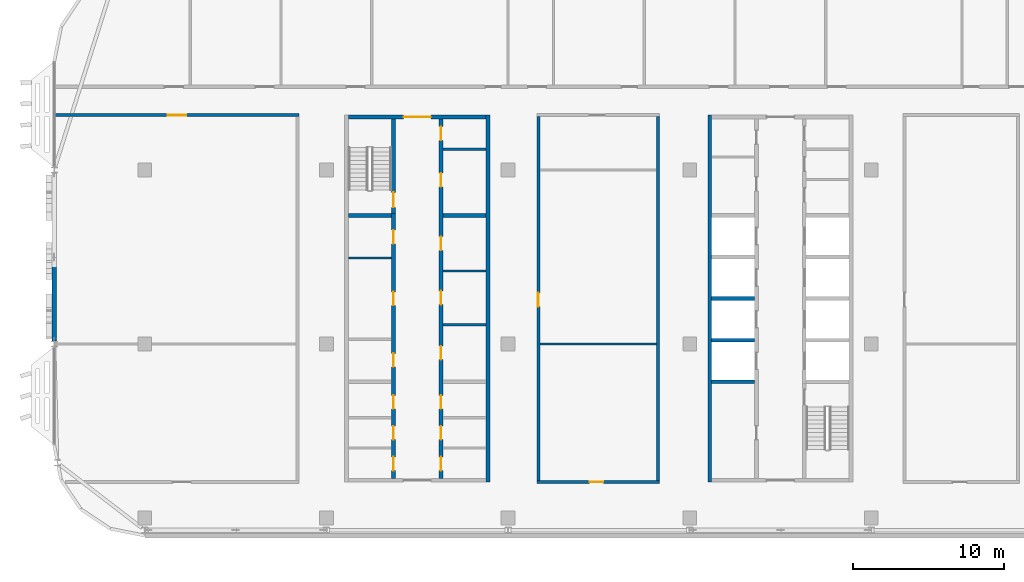
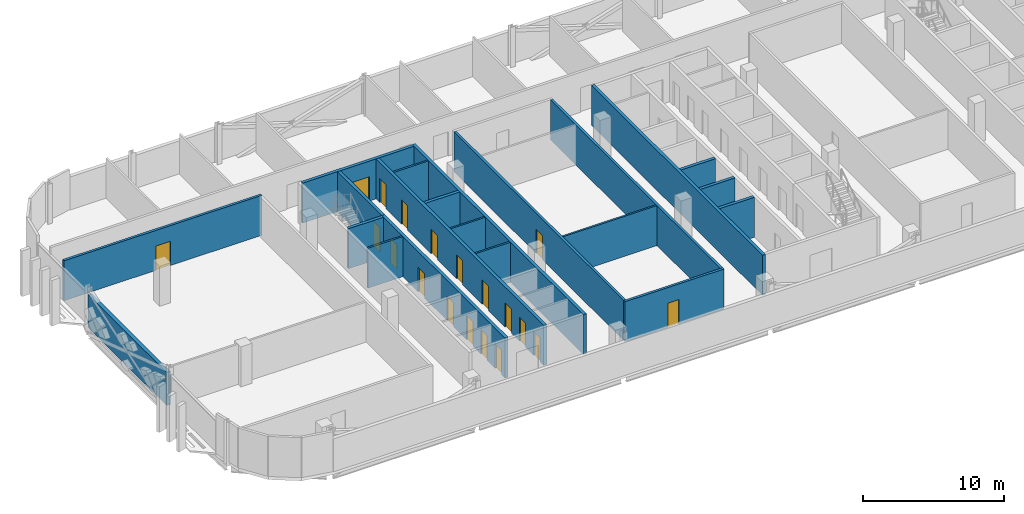
# One storey, part 10 of 25: 21 walls, 19 doors, 19 openings.
"""IFC4 building model written with IfcOpenShell, lengths in metres."""

import ifcopenshell
import ifcopenshell.guid

model = None  # the IFC model being written
_history = None  # IfcOwnerHistory: only IFC2X3 demands one
_inside = {}  # id of a spatial element -> (the spatial element, [elements in it])
_under = {}  # id of a project, library or spatial element -> (it, [spatial elements below it])
_declared = {}  # id of a project -> (the project, [libraries it declares])
_typed = {}  # id of a type object -> (the type object, [elements of that type])
_made_of = {}  # id of a material, layer set ... -> (it, [elements and type objects made of it])


def new_model(schema):
    """Start an empty IFC model of exactly this schema.

    Asked for "IFC4X3", IfcOpenShell would pick the latest addendum, in which some entities
    have other attributes; the version numbers below select the first issue.
    IFC2X3 requires an IfcOwnerHistory on every rooted entity: one is made here for all.
    """
    global model, _history
    if schema == "IFC4X3":
        model = ifcopenshell.file(schema_version=(4, 3, 0, 0))
    else:
        model = ifcopenshell.file(schema=schema)
    _inside.clear()
    _under.clear()
    _declared.clear()
    _typed.clear()
    _made_of.clear()
    _history = None
    if model.schema == "IFC2X3":
        org = make("IfcOrganization", Name="unknown")
        user = make(
            "IfcPersonAndOrganization",
            ThePerson=make("IfcPerson", FamilyName="unknown"),
            TheOrganization=org,
        )
        app = make(
            "IfcApplication",
            ApplicationDeveloper=org,
            Version="unknown",
            ApplicationFullName="unknown",
            ApplicationIdentifier="unknown",
        )
        _history = make(
            "IfcOwnerHistory",
            OwningUser=user,
            OwningApplication=app,
            ChangeAction="ADDED",
            CreationDate=0,
        )
    return model


def make(cls, **values):
    """One entity of the class cls with the attributes given. An attribute that is None is left unset."""
    return model.create_entity(
        cls, **{name: value for name, value in values.items() if value is not None}
    )


def rooted(cls, **values):
    """An entity with a GlobalId (a new one), such as an element, a storey or a relation."""
    return make(cls, GlobalId=ifcopenshell.guid.new(), OwnerHistory=_history, **values)


def si_unit(unit_type, name, prefix=None):
    """IfcSIUnit, for example si_unit("LENGTHUNIT", "METRE", prefix="MILLI")."""
    return make("IfcSIUnit", UnitType=unit_type, Prefix=prefix, Name=name)


def assignment(units):
    """IfcUnitAssignment: the units of a project."""
    return None if units is None else make("IfcUnitAssignment", Units=units)


def point(xyz):
    """IfcCartesianPoint."""
    return None if xyz is None else make("IfcCartesianPoint", Coordinates=xyz)


def direction(xyz):
    """IfcDirection."""
    return None if xyz is None else make("IfcDirection", DirectionRatios=xyz)


def frame(location, z_axis=None, x_axis=None):
    """IfcAxis2Placement3D, a coordinate frame: its origin and axes. An axis left out is left unset."""
    return make(
        "IfcAxis2Placement3D",
        Location=point(location),
        Axis=direction(z_axis),
        RefDirection=direction(x_axis),
    )


def frame_2d(location, x_axis=None):
    """IfcAxis2Placement2D, a coordinate frame in the plane: its origin and x axis."""
    return make(
        "IfcAxis2Placement2D", Location=point(location), RefDirection=direction(x_axis)
    )


def origin():
    """The frame at (0, 0, 0) with its axes left unset."""
    return frame((0.0, 0.0, 0.0))


def place(relative_to, where):
    """IfcLocalPlacement: puts the frame where relative to a parent placement (None: the world)."""
    return make(
        "IfcLocalPlacement", PlacementRelTo=relative_to, RelativePlacement=where
    )


def context(
    kind, dimensions, precision=None, world=None, true_north=None, identifier=None
):
    """IfcGeometricRepresentationContext, for example the 3D "Model" context."""
    return make(
        "IfcGeometricRepresentationContext",
        ContextIdentifier=identifier,
        ContextType=kind,
        CoordinateSpaceDimension=dimensions,
        Precision=precision,
        WorldCoordinateSystem=world,
        TrueNorth=true_north,
    )


def subcontext(parent, identifier, kind, view, scale=None):
    """IfcGeometricRepresentationSubContext, for example "Body" below "Model"."""
    return make(
        "IfcGeometricRepresentationSubContext",
        ContextIdentifier=identifier,
        ContextType=kind,
        ParentContext=parent,
        TargetScale=scale,
        TargetView=view,
    )


def project(units=None, contexts=None):
    """IfcProject with its units and contexts."""
    return rooted(
        "IfcProject",
        Name="project",
        RepresentationContexts=contexts,
        UnitsInContext=assignment(units),
    )


def spatial(cls, under=None, at=None, **own):
    """A site, building, storey or space (cls), placed at a placement, below another one or the project."""
    s = rooted(cls, ObjectPlacement=at, **own)
    if under is not None:
        _under.setdefault(under.id(), (under, []))[1].append(s)
    return s


def profile(cls, at=None, kind="AREA", **sizes):
    """A parametric profile (cls). Its sizes go by their IFC names, for example OverallWidth=200.0."""
    return make(cls, ProfileType=kind, Position=at, **sizes)


def rectangle(**sizes):
    """IfcRectangleProfileDef."""
    return profile("IfcRectangleProfileDef", **sizes)


def extrude(swept, where, along, depth):
    """IfcExtrudedAreaSolid: the profile swept, set in the frame where, extruded along a direction by depth."""
    return make(
        "IfcExtrudedAreaSolid",
        SweptArea=swept,
        Position=where,
        ExtrudedDirection=direction(along),
        Depth=depth,
    )


def shape(context_of_items, identifier, shape_type, items):
    """IfcShapeRepresentation: the items that make up one representation, for example the "Body"."""
    return make(
        "IfcShapeRepresentation",
        ContextOfItems=context_of_items,
        RepresentationIdentifier=identifier,
        RepresentationType=shape_type,
        Items=items,
    )


def material(Name=None, Category=None):
    """IfcMaterial."""
    return make("IfcMaterial", Name=Name, Category=Category)


def layer(
    of_material, thickness, ventilated=None, Name=None, Category=None, Priority=None
):
    """IfcMaterialLayer: one layer of a wall or slab, of a material (None: an air gap)."""
    return make(
        "IfcMaterialLayer",
        Material=of_material,
        LayerThickness=thickness,
        IsVentilated=ventilated,
        Name=Name,
        Category=Category,
        Priority=Priority,
    )


def layer_set(layers, Name=None):
    """IfcMaterialLayerSet."""
    return make("IfcMaterialLayerSet", MaterialLayers=layers, LayerSetName=Name)


def made_of(thing, what):
    """Note that an element or type object is made of a material, layer set ...; save() writes the relation."""
    if what is not None:
        _made_of.setdefault(what.id(), (what, []))[1].append(thing)
    return thing


def type_object(cls, material=None, **own):
    """A type object (cls), such as IfcWallType, which elements share."""
    return made_of(rooted(cls, **own), material)


def element(
    cls,
    number,
    at=None,
    inside=None,
    cuts=None,
    type_object=None,
    material=None,
    context=None,
    identifier="Body",
    shape_type=None,
    held_by="IfcProductDefinitionShape",
    body=None,
    shapes=None,
    **own,
):
    """One element of the class cls, such as IfcWall. Its Tag is "e" and its number.

    at: its placement. inside: the storey or other place that contains it. cuts: it is an
    opening in that element (IfcRelVoidsElement). A single representation is given by context,
    identifier, shape_type and body (its items); several are given by shapes. held_by: the class
    of the entity that holds the representations. save() writes the other relations.
    """
    e = rooted(cls, Tag="e%d" % number, ObjectPlacement=at, **own)
    if body is not None:
        shapes = [shape(context, identifier, shape_type, body)]
    if shapes is not None:
        e.Representation = make(held_by, Representations=shapes)
    if inside is not None:
        _inside.setdefault(inside.id(), (inside, []))[1].append(e)
    if cuts is not None:
        rooted(
            "IfcRelVoidsElement", RelatingBuildingElement=cuts, RelatedOpeningElement=e
        )
    if type_object is not None:
        _typed.setdefault(type_object.id(), (type_object, []))[1].append(e)
    return made_of(e, material)


def fill(opening, filler):
    """IfcRelFillsElement: the door or window that sits in an opening."""
    return rooted(
        "IfcRelFillsElement",
        RelatingOpeningElement=opening,
        RelatedBuildingElement=filler,
    )


def aggregate(whole, parts):
    """IfcRelAggregates: a whole, such as a stair, and the parts it consists of."""
    return rooted("IfcRelAggregates", RelatingObject=whole, RelatedObjects=parts)


def save(model, path):
    """Write the relations noted so far, then the file.

    IfcRelAggregates (storeys below a building ...), IfcRelContainedInSpatialStructure (elements
    in a storey), IfcRelDefinesByType, IfcRelAssociatesMaterial and IfcRelDeclares: one each for
    every whole, place, type object, material and project.
    """
    for whole, parts in _under.values():
        aggregate(whole, parts)
    for where, things in _inside.values():
        rooted(
            "IfcRelContainedInSpatialStructure",
            RelatedElements=things,
            RelatingStructure=where,
        )
    for kind, things in _typed.values():
        rooted("IfcRelDefinesByType", RelatedObjects=things, RelatingType=kind)
    for what, things in _made_of.values():
        rooted("IfcRelAssociatesMaterial", RelatedObjects=things, RelatingMaterial=what)
    for by, libraries in _declared.values():
        rooted("IfcRelDeclares", RelatingContext=by, RelatedDefinitions=libraries)
    model.write(path)


model = new_model("IFC4")

# Units and contexts
model_context = context("Model", 3, precision=1e-05, world=origin(), true_north=direction((0.0, 1.0)))
body_context = subcontext(model_context, "Body", "Model", "MODEL_VIEW")
ifc_project = project(units=[si_unit("LENGTHUNIT", "METRE"), si_unit("AREAUNIT", "SQUARE_METRE"), si_unit("VOLUMEUNIT", "CUBIC_METRE"), si_unit("PLANEANGLEUNIT", "RADIAN"), si_unit("MASSUNIT", "GRAM", prefix="KILO")], contexts=[model_context])

# Site, building, storey
site_placement = place(None, origin())
site = spatial("IfcSite", under=ifc_project, at=site_placement, CompositionType="ELEMENT")
building_placement = place(site_placement, origin())
building = spatial("IfcBuilding", under=site, at=building_placement, Name="Mahtab Terrace Research Tower", CompositionType="ELEMENT")
storey_placement = place(building_placement, frame((0.0, 0.0, 278.5)))
storey = spatial("IfcBuildingStorey", under=building, at=storey_placement, Name="L68", CompositionType="ELEMENT", Elevation=278.5)

# Walls
ifc_material_1 = material(Name="Gypsum board partition")
ifc_layer_1 = layer(ifc_material_1, 0.14990234375)
ifc_layer_set_1 = layer_set([ifc_layer_1], Name="Core partition 150")
wall_type_1 = type_object("IfcWallType", Name="Core partition 150", PredefinedType="PARTITIONING", material=ifc_layer_set_1)
for number, where, z_axis, x_axis, name in (
    (1, (-28.550048828125, 5.6875, 0.0), (0.0, 0.0, 1.0), (1.0, 0.0, 0.0), "Core wall A pWL269"),
    (2, (-22.300048828125, 1.280029296875, 0.0), (0.0, 0.0, 1.0), (1.0, 0.0, 0.0), "Core wall A pEL-172"),
    (3, (-22.300048828125, 4.827392578125, 0.0), (0.0, 0.0, 1.0), (1.0, 0.0, 0.0), "Core wall A pEL183"),
    (4, (-22.300048828125, 12.875, 0.0), (0.0, 0.0, 1.0), (1.0, 0.0, 0.0), "Core wall A pEN988"),
):
    element("IfcWall", number, at=place(storey_placement, frame(where, z_axis=z_axis, x_axis=x_axis)), inside=storey, type_object=wall_type_1, Name=name, PredefinedType="PARTITIONING", context=body_context, shape_type="SweptSolid", body=[
        extrude(rectangle(XDim=2.85009765625, YDim=0.14990234375, at=frame_2d((1.425048828125, 0.0))), origin(), (0.0, 0.0, 1.0), 3.4599609375),
    ])
ifc_material_2 = material(Name="Concrete C70/85", Category="concrete")
ifc_layer_2 = layer(ifc_material_2, 0.25)
ifc_layer_set_2 = layer_set([ifc_layer_2], Name="Core wall 250")
wall_type_2 = type_object("IfcWallType", Name="Core wall 250", PredefinedType="SOLIDWALL", material=ifc_layer_set_2)
wall_1_placement = place(storey_placement, frame((-19.324951171875, -9.125, 0.0), z_axis=(0.0, 0.0, 1.0), x_axis=(0.0, 1.0, 0.0)))
element("IfcWall", 5, at=wall_1_placement, inside=storey, type_object=wall_type_2, Name="Core wall A outerE", PredefinedType="SOLIDWALL", context=body_context, shape_type="SweptSolid", body=[
    extrude(rectangle(XDim=24.25, YDim=0.25, at=frame_2d((12.125, 0.0))), origin(), (0.0, 0.0, 1.0), 3.4599609375),
])

# Wall, opening, door
wall_2_placement = place(storey_placement, frame((-28.550048828125, 15.0, 0.0), z_axis=(0.0, 0.0, 1.0), x_axis=(1.0, 0.0, 0.0)))
wall_2 = element("IfcWall", 6, at=wall_2_placement, inside=storey, type_object=wall_type_2, Name="Core wall A endN", PredefinedType="SOLIDWALL", context=body_context, shape_type="SweptSolid", body=[
    extrude(rectangle(XDim=9.10009765625, YDim=0.25, at=frame_2d((4.550048828125, 0.0))), origin(), (0.0, 0.0, 1.0), 3.4599609375),
])
opening_1_placement = place(wall_2_placement, frame((3.64990234375, 0.0, 0.0)))
opening_1 = element("IfcOpeningElement", 7, at=opening_1_placement, cuts=wall_2, Name="Opening A-N1", PredefinedType="OPENING", context=body_context, shape_type="SweptSolid", body=[
    extrude(rectangle(XDim=1.800048828125, YDim=2.10009765625, at=frame_2d((0.89990234375, 1.050048828125))), frame((0.0, 0.135009765625, 0.0), z_axis=(0.0, -1.0, 0.0), x_axis=(1.0, 0.0, 0.0)), (0.0, 0.0, 1.0), 0.27001953125),
])
ifc_material_3 = material(Name="Steel fire door", Category="steel")
door_type_1 = type_object("IfcDoorType", Name="Lobby double door 1800x2100 1 HR", OperationType="DOUBLE_DOOR_SINGLE_SWING", PredefinedType="DOOR", material=ifc_material_3)
door_1_placement = place(opening_1_placement, origin())
door_1 = element("IfcDoor", 8, at=door_1_placement, inside=storey, type_object=door_type_1, Name="Core entrance door A N", OperationType="DOUBLE_DOOR_SINGLE_SWING", OverallHeight=2.10009765625, OverallWidth=1.800048828125, PredefinedType="DOOR", context=body_context, shape_type="SweptSolid", body=[
    extrude(rectangle(XDim=1.800048828125, YDim=2.10009765625, at=frame_2d((0.89990234375, 1.050048828125))), frame((0.0, 0.02490234375, 0.0), z_axis=(0.0, -1.0, 0.0), x_axis=(1.0, 0.0, 0.0)), (0.0, 0.0, 1.0), 0.050048828125),
])
fill(opening_1, door_1)

# Wall, openings, doors
wall_3_placement = place(storey_placement, frame((-25.574951171875, -8.875, 0.0), z_axis=(0.0, 0.0, 1.0), x_axis=(0.0, 1.0, 0.0)))
wall_3 = element("IfcWall", 9, at=wall_3_placement, inside=storey, type_object=wall_type_2, Name="Core wall A innerWSL", PredefinedType="SOLIDWALL", context=body_context, shape_type="SweptSolid", body=[
    extrude(rectangle(XDim=17.5, YDim=0.25, at=frame_2d((8.75, 0.0))), origin(), (0.0, 0.0, 1.0), 3.4599609375),
])
opening_2_placement = place(wall_3_placement, frame((7.356201171875, 0.0, 0.0)))
opening_2 = element("IfcOpeningElement", 10, at=opening_2_placement, cuts=wall_3, Name="Opening A-R1", PredefinedType="OPENING", context=body_context, shape_type="SweptSolid", body=[
    extrude(rectangle(XDim=0.89990234375, YDim=2.10009765625, at=frame_2d((0.449951171875, 1.050048828125))), frame((0.0, 0.135009765625, 0.0), z_axis=(0.0, -1.0, 0.0), x_axis=(1.0, 0.0, 0.0)), (0.0, 0.0, 1.0), 0.27001953125),
])
opening_3_placement = place(wall_3_placement, frame((11.425048828125, 0.0, 0.0)))
opening_3 = element("IfcOpeningElement", 11, at=opening_3_placement, cuts=wall_3, Name="Opening A-R2", PredefinedType="OPENING", context=body_context, shape_type="SweptSolid", body=[
    extrude(rectangle(XDim=0.89990234375, YDim=2.10009765625, at=frame_2d((0.449951171875, 1.050048828125))), frame((0.0, 0.135009765625, 0.0), z_axis=(0.0, -1.0, 0.0), x_axis=(1.0, 0.0, 0.0)), (0.0, 0.0, 1.0), 0.27001953125),
])
opening_4_placement = place(wall_3_placement, frame((15.493896484375, 0.0, 0.0)))
opening_4 = element("IfcOpeningElement", 12, at=opening_4_placement, cuts=wall_3, Name="Opening A-R3", PredefinedType="OPENING", context=body_context, shape_type="SweptSolid", body=[
    extrude(rectangle(XDim=0.89990234375, YDim=2.10009765625, at=frame_2d((0.449951171875, 1.050048828125))), frame((0.0, 0.135009765625, 0.0), z_axis=(0.0, -1.0, 0.0), x_axis=(1.0, 0.0, 0.0)), (0.0, 0.0, 1.0), 0.27001953125),
])
opening_5_placement = place(wall_3_placement, frame((0.512451171875, 0.0, 0.0)))
opening_5 = element("IfcOpeningElement", 13, at=opening_5_placement, cuts=wall_3, Name="Opening A-R7", PredefinedType="OPENING", context=body_context, shape_type="SweptSolid", body=[
    extrude(rectangle(XDim=0.89990234375, YDim=2.10009765625, at=frame_2d((0.449951171875, 1.050048828125))), frame((0.0, 0.135009765625, 0.0), z_axis=(0.0, -1.0, 0.0), x_axis=(1.0, 0.0, 0.0)), (0.0, 0.0, 1.0), 0.27001953125),
])
opening_6_placement = place(wall_3_placement, frame((2.550048828125, 0.0, 0.0)))
opening_6 = element("IfcOpeningElement", 14, at=opening_6_placement, cuts=wall_3, Name="Opening A-R8", PredefinedType="OPENING", context=body_context, shape_type="SweptSolid", body=[
    extrude(rectangle(XDim=0.89990234375, YDim=2.10009765625, at=frame_2d((0.449951171875, 1.050048828125))), frame((0.0, 0.135009765625, 0.0), z_axis=(0.0, -1.0, 0.0), x_axis=(1.0, 0.0, 0.0)), (0.0, 0.0, 1.0), 0.27001953125),
])
opening_7_placement = place(wall_3_placement, frame((4.58740234375, 0.0, 0.0)))
opening_7 = element("IfcOpeningElement", 15, at=opening_7_placement, cuts=wall_3, Name="Opening A-R9", PredefinedType="OPENING", context=body_context, shape_type="SweptSolid", body=[
    extrude(rectangle(XDim=0.89990234375, YDim=2.10009765625, at=frame_2d((0.449951171875, 1.050048828125))), frame((0.0, 0.135009765625, 0.0), z_axis=(0.0, -1.0, 0.0), x_axis=(1.0, 0.0, 0.0)), (0.0, 0.0, 1.0), 0.27001953125),
])
door_type_2 = type_object("IfcDoorType", Name="Room door 900x2100 1 HR", OperationType="NOTDEFINED", PredefinedType="DOOR", material=ifc_material_3)
door_2_placement = place(opening_2_placement, origin())
door_2 = element("IfcDoor", 16, at=door_2_placement, inside=storey, type_object=door_type_2, Name="Comms room door", OperationType="SINGLE_SWING_LEFT", OverallHeight=2.10009765625, OverallWidth=0.89990234375, PredefinedType="DOOR", context=body_context, shape_type="SweptSolid", body=[
    extrude(rectangle(XDim=0.89990234375, YDim=2.10009765625, at=frame_2d((0.449951171875, 1.050048828125))), frame((0.0, 0.02490234375, 0.0), z_axis=(0.0, -1.0, 0.0), x_axis=(1.0, 0.0, 0.0)), (0.0, 0.0, 1.0), 0.050048828125),
])
fill(opening_2, door_2)
door_3_placement = place(opening_3_placement, origin())
door_3 = element("IfcDoor", 17, at=door_3_placement, inside=storey, type_object=door_type_2, Name="Meeting alcove door", OperationType="SINGLE_SWING_RIGHT", OverallHeight=2.10009765625, OverallWidth=0.89990234375, PredefinedType="DOOR", context=body_context, shape_type="SweptSolid", body=[
    extrude(rectangle(XDim=0.89990234375, YDim=2.10009765625, at=frame_2d((0.449951171875, 1.050048828125))), frame((0.0, 0.02490234375, 0.0), z_axis=(0.0, -1.0, 0.0), x_axis=(1.0, 0.0, 0.0)), (0.0, 0.0, 1.0), 0.050048828125),
])
fill(opening_3, door_3)
door_4_placement = place(opening_4_placement, origin())
door_4 = element("IfcDoor", 18, at=door_4_placement, inside=storey, type_object=door_type_2, Name="Linen store door", OperationType="SINGLE_SWING_LEFT", OverallHeight=2.10009765625, OverallWidth=0.89990234375, PredefinedType="DOOR", context=body_context, shape_type="SweptSolid", body=[
    extrude(rectangle(XDim=0.89990234375, YDim=2.10009765625, at=frame_2d((0.449951171875, 1.050048828125))), frame((0.0, 0.02490234375, 0.0), z_axis=(0.0, -1.0, 0.0), x_axis=(1.0, 0.0, 0.0)), (0.0, 0.0, 1.0), 0.050048828125),
])
fill(opening_4, door_4)
door_5_placement = place(opening_5_placement, origin())
door_5 = element("IfcDoor", 19, at=door_5_placement, inside=storey, type_object=door_type_2, Name="Male WC door", OperationType="SINGLE_SWING_LEFT", OverallHeight=2.10009765625, OverallWidth=0.89990234375, PredefinedType="DOOR", context=body_context, shape_type="SweptSolid", body=[
    extrude(rectangle(XDim=0.89990234375, YDim=2.10009765625, at=frame_2d((0.449951171875, 1.050048828125))), frame((0.0, 0.02490234375, 0.0), z_axis=(0.0, -1.0, 0.0), x_axis=(1.0, 0.0, 0.0)), (0.0, 0.0, 1.0), 0.050048828125),
])
fill(opening_5, door_5)
door_6_placement = place(opening_6_placement, origin())
door_6 = element("IfcDoor", 20, at=door_6_placement, inside=storey, type_object=door_type_2, Name="Female WC door", OperationType="SINGLE_SWING_RIGHT", OverallHeight=2.10009765625, OverallWidth=0.89990234375, PredefinedType="DOOR", context=body_context, shape_type="SweptSolid", body=[
    extrude(rectangle(XDim=0.89990234375, YDim=2.10009765625, at=frame_2d((0.449951171875, 1.050048828125))), frame((0.0, 0.02490234375, 0.0), z_axis=(0.0, -1.0, 0.0), x_axis=(1.0, 0.0, 0.0)), (0.0, 0.0, 1.0), 0.050048828125),
])
fill(opening_6, door_6)
door_7_placement = place(opening_7_placement, origin())
door_7 = element("IfcDoor", 21, at=door_7_placement, inside=storey, type_object=door_type_2, Name="Accessible WC door", OperationType="SINGLE_SWING_LEFT", OverallHeight=2.10009765625, OverallWidth=0.89990234375, PredefinedType="DOOR", context=body_context, shape_type="SweptSolid", body=[
    extrude(rectangle(XDim=0.89990234375, YDim=2.10009765625, at=frame_2d((0.449951171875, 1.050048828125))), frame((0.0, 0.02490234375, 0.0), z_axis=(0.0, -1.0, 0.0), x_axis=(1.0, 0.0, 0.0)), (0.0, 0.0, 1.0), 0.050048828125),
])
fill(opening_7, door_7)

# Wall, opening, door
wall_4_placement = place(storey_placement, frame((-25.574951171875, 14.875, 0.0), z_axis=(0.0, 0.0, 1.0), x_axis=(0.0, -1.0, 0.0)))
wall_4 = element("IfcWall", 22, at=wall_4_placement, inside=storey, type_object=wall_type_2, Name="Core wall A innerWN", PredefinedType="SOLIDWALL", context=body_context, shape_type="SweptSolid", body=[
    extrude(rectangle(XDim=6.25, YDim=0.25, at=frame_2d((3.125, 0.0))), origin(), (0.0, 0.0, 1.0), 3.4599609375),
])
opening_8_placement = place(wall_4_placement, frame((4.85009765625, 0.0, 0.0)))
opening_8 = element("IfcOpeningElement", 23, at=opening_8_placement, cuts=wall_4, Name="Opening A-ST1", PredefinedType="OPENING", context=body_context, shape_type="SweptSolid", body=[
    extrude(rectangle(XDim=1.0, YDim=2.10009765625, at=frame_2d((0.5, 1.050048828125))), frame((0.0, 0.135009765625, 0.0), z_axis=(0.0, -1.0, 0.0), x_axis=(1.0, 0.0, 0.0)), (0.0, 0.0, 1.0), 0.27001953125),
])
door_type_3 = type_object("IfcDoorType", Name="Stair door 1000x2100 1.5 HR", OperationType="NOTDEFINED", PredefinedType="DOOR", material=ifc_material_3)
door_8_placement = place(opening_8_placement, origin())
door_8 = element("IfcDoor", 24, at=door_8_placement, inside=storey, type_object=door_type_3, Name="Stair door ST1 L68", OperationType="SINGLE_SWING_LEFT", OverallHeight=2.10009765625, OverallWidth=1.0, PredefinedType="DOOR", context=body_context, shape_type="SweptSolid", body=[
    extrude(rectangle(XDim=1.0, YDim=2.10009765625, at=frame_2d((0.5, 1.050048828125))), frame((0.0, 0.02490234375, 0.0), z_axis=(0.0, -1.0, 0.0), x_axis=(1.0, 0.0, 0.0)), (0.0, 0.0, 1.0), 0.050048828125),
])
fill(opening_8, door_8)

# Wall, openings, doors
wall_5_placement = place(storey_placement, frame((-22.425048828125, 14.875, 0.0), z_axis=(0.0, 0.0, 1.0), x_axis=(0.0, -1.0, 0.0)))
wall_5 = element("IfcWall", 25, at=wall_5_placement, inside=storey, type_object=wall_type_2, Name="Core wall A innerESLN", PredefinedType="SOLIDWALL", context=body_context, shape_type="SweptSolid", body=[
    extrude(rectangle(XDim=23.75, YDim=0.25, at=frame_2d((11.875, 0.0))), origin(), (0.0, 0.0, 1.0), 3.4599609375),
])
opening_9_placement = place(wall_5_placement, frame((15.010009765625, 0.0, 0.0)))
opening_9 = element("IfcOpeningElement", 26, at=opening_9_placement, cuts=wall_5, Name="Opening A-R4", PredefinedType="OPENING", context=body_context, shape_type="SweptSolid", body=[
    extrude(rectangle(XDim=0.89990234375, YDim=2.10009765625, at=frame_2d((0.449951171875, 1.050048828125))), frame((0.0, 0.135009765625, 0.0), z_axis=(0.0, -1.0, 0.0), x_axis=(1.0, 0.0, 0.0)), (0.0, 0.0, 1.0), 0.27001953125),
])
opening_10_placement = place(wall_5_placement, frame((11.37109375, 0.0, 0.0)))
opening_10 = element("IfcOpeningElement", 27, at=opening_10_placement, cuts=wall_5, Name="Opening A-R5", PredefinedType="OPENING", context=body_context, shape_type="SweptSolid", body=[
    extrude(rectangle(XDim=0.89990234375, YDim=2.10009765625, at=frame_2d((0.449951171875, 1.050048828125))), frame((0.0, 0.135009765625, 0.0), z_axis=(0.0, -1.0, 0.0), x_axis=(1.0, 0.0, 0.0)), (0.0, 0.0, 1.0), 0.27001953125),
])
opening_11_placement = place(wall_5_placement, frame((7.7861328125, 0.0, 0.0)))
opening_11 = element("IfcOpeningElement", 28, at=opening_11_placement, cuts=wall_5, Name="Opening A-R6", PredefinedType="OPENING", context=body_context, shape_type="SweptSolid", body=[
    extrude(rectangle(XDim=0.89990234375, YDim=2.10009765625, at=frame_2d((0.449951171875, 1.050048828125))), frame((0.0, 0.135009765625, 0.0), z_axis=(0.0, -1.0, 0.0), x_axis=(1.0, 0.0, 0.0)), (0.0, 0.0, 1.0), 0.27001953125),
])
opening_12_placement = place(wall_5_placement, frame((22.33740234375, 0.0, 0.0)))
opening_12 = element("IfcOpeningElement", 29, at=opening_12_placement, cuts=wall_5, Name="Opening A-R10", PredefinedType="OPENING", context=body_context, shape_type="SweptSolid", body=[
    extrude(rectangle(XDim=0.89990234375, YDim=2.10009765625, at=frame_2d((0.449951171875, 1.050048828125))), frame((0.0, 0.135009765625, 0.0), z_axis=(0.0, -1.0, 0.0), x_axis=(1.0, 0.0, 0.0)), (0.0, 0.0, 1.0), 0.27001953125),
])
opening_13_placement = place(wall_5_placement, frame((20.300048828125, 0.0, 0.0)))
opening_13 = element("IfcOpeningElement", 30, at=opening_13_placement, cuts=wall_5, Name="Opening A-R11", PredefinedType="OPENING", context=body_context, shape_type="SweptSolid", body=[
    extrude(rectangle(XDim=0.89990234375, YDim=2.10009765625, at=frame_2d((0.449951171875, 1.050048828125))), frame((0.0, 0.135009765625, 0.0), z_axis=(0.0, -1.0, 0.0), x_axis=(1.0, 0.0, 0.0)), (0.0, 0.0, 1.0), 0.27001953125),
])
opening_14_placement = place(wall_5_placement, frame((18.262451171875, 0.0, 0.0)))
opening_14 = element("IfcOpeningElement", 31, at=opening_14_placement, cuts=wall_5, Name="Opening A-R12", PredefinedType="OPENING", context=body_context, shape_type="SweptSolid", body=[
    extrude(rectangle(XDim=0.89990234375, YDim=2.10009765625, at=frame_2d((0.449951171875, 1.050048828125))), frame((0.0, 0.135009765625, 0.0), z_axis=(0.0, -1.0, 0.0), x_axis=(1.0, 0.0, 0.0)), (0.0, 0.0, 1.0), 0.27001953125),
])
opening_15_placement = place(wall_5_placement, frame((3.58740234375, 0.0, 0.0)))
opening_15 = element("IfcOpeningElement", 32, at=opening_15_placement, cuts=wall_5, Name="Opening A-R13", PredefinedType="OPENING", context=body_context, shape_type="SweptSolid", body=[
    extrude(rectangle(XDim=0.89990234375, YDim=2.10009765625, at=frame_2d((0.449951171875, 1.050048828125))), frame((0.0, 0.135009765625, 0.0), z_axis=(0.0, -1.0, 0.0), x_axis=(1.0, 0.0, 0.0)), (0.0, 0.0, 1.0), 0.27001953125),
])
opening_16_placement = place(wall_5_placement, frame((0.512451171875, 0.0, 0.0)))
opening_16 = element("IfcOpeningElement", 33, at=opening_16_placement, cuts=wall_5, Name="Opening A-R14", PredefinedType="OPENING", context=body_context, shape_type="SweptSolid", body=[
    extrude(rectangle(XDim=0.89990234375, YDim=2.10009765625, at=frame_2d((0.449951171875, 1.050048828125))), frame((0.0, 0.135009765625, 0.0), z_axis=(0.0, -1.0, 0.0), x_axis=(1.0, 0.0, 0.0)), (0.0, 0.0, 1.0), 0.27001953125),
])
door_9_placement = place(opening_9_placement, origin())
door_9 = element("IfcDoor", 34, at=door_9_placement, inside=storey, type_object=door_type_2, Name="Battery room door", OperationType="SINGLE_SWING_RIGHT", OverallHeight=2.10009765625, OverallWidth=0.89990234375, PredefinedType="DOOR", context=body_context, shape_type="SweptSolid", body=[
    extrude(rectangle(XDim=0.89990234375, YDim=2.10009765625, at=frame_2d((0.449951171875, 1.050048828125))), frame((0.0, 0.02490234375, 0.0), z_axis=(0.0, -1.0, 0.0), x_axis=(1.0, 0.0, 0.0)), (0.0, 0.0, 1.0), 0.050048828125),
])
fill(opening_9, door_9)
door_10_placement = place(opening_10_placement, origin())
door_10 = element("IfcDoor", 35, at=door_10_placement, inside=storey, type_object=door_type_2, Name="Cooling plant room door", OperationType="SINGLE_SWING_LEFT", OverallHeight=2.10009765625, OverallWidth=0.89990234375, PredefinedType="DOOR", context=body_context, shape_type="SweptSolid", body=[
    extrude(rectangle(XDim=0.89990234375, YDim=2.10009765625, at=frame_2d((0.449951171875, 1.050048828125))), frame((0.0, 0.02490234375, 0.0), z_axis=(0.0, -1.0, 0.0), x_axis=(1.0, 0.0, 0.0)), (0.0, 0.0, 1.0), 0.050048828125),
])
fill(opening_10, door_10)
door_11_placement = place(opening_11_placement, origin())
door_11 = element("IfcDoor", 36, at=door_11_placement, inside=storey, type_object=door_type_2, Name="Spare parts store door", OperationType="SINGLE_SWING_RIGHT", OverallHeight=2.10009765625, OverallWidth=0.89990234375, PredefinedType="DOOR", context=body_context, shape_type="SweptSolid", body=[
    extrude(rectangle(XDim=0.89990234375, YDim=2.10009765625, at=frame_2d((0.449951171875, 1.050048828125))), frame((0.0, 0.02490234375, 0.0), z_axis=(0.0, -1.0, 0.0), x_axis=(1.0, 0.0, 0.0)), (0.0, 0.0, 1.0), 0.050048828125),
])
fill(opening_11, door_11)
door_12_placement = place(opening_12_placement, origin())
door_12 = element("IfcDoor", 37, at=door_12_placement, inside=storey, type_object=door_type_2, Name="Comms riser room door", OperationType="SINGLE_SWING_RIGHT", OverallHeight=2.10009765625, OverallWidth=0.89990234375, PredefinedType="DOOR", context=body_context, shape_type="SweptSolid", body=[
    extrude(rectangle(XDim=0.89990234375, YDim=2.10009765625, at=frame_2d((0.449951171875, 1.050048828125))), frame((0.0, 0.02490234375, 0.0), z_axis=(0.0, -1.0, 0.0), x_axis=(1.0, 0.0, 0.0)), (0.0, 0.0, 1.0), 0.050048828125),
])
fill(opening_12, door_12)
door_13_placement = place(opening_13_placement, origin())
door_13 = element("IfcDoor", 38, at=door_13_placement, inside=storey, type_object=door_type_2, Name="Pantry door", OperationType="SINGLE_SWING_LEFT", OverallHeight=2.10009765625, OverallWidth=0.89990234375, PredefinedType="DOOR", context=body_context, shape_type="SweptSolid", body=[
    extrude(rectangle(XDim=0.89990234375, YDim=2.10009765625, at=frame_2d((0.449951171875, 1.050048828125))), frame((0.0, 0.02490234375, 0.0), z_axis=(0.0, -1.0, 0.0), x_axis=(1.0, 0.0, 0.0)), (0.0, 0.0, 1.0), 0.050048828125),
])
fill(opening_13, door_13)
door_14_placement = place(opening_14_placement, origin())
door_14 = element("IfcDoor", 39, at=door_14_placement, inside=storey, type_object=door_type_2, Name="Cleaners store door", OperationType="SINGLE_SWING_RIGHT", OverallHeight=2.10009765625, OverallWidth=0.89990234375, PredefinedType="DOOR", context=body_context, shape_type="SweptSolid", body=[
    extrude(rectangle(XDim=0.89990234375, YDim=2.10009765625, at=frame_2d((0.449951171875, 1.050048828125))), frame((0.0, 0.02490234375, 0.0), z_axis=(0.0, -1.0, 0.0), x_axis=(1.0, 0.0, 0.0)), (0.0, 0.0, 1.0), 0.050048828125),
])
fill(opening_14, door_14)
door_15_placement = place(opening_15_placement, origin())
door_15 = element("IfcDoor", 40, at=door_15_placement, inside=storey, type_object=door_type_2, Name="IT equipment room door", OperationType="SINGLE_SWING_LEFT", OverallHeight=2.10009765625, OverallWidth=0.89990234375, PredefinedType="DOOR", context=body_context, shape_type="SweptSolid", body=[
    extrude(rectangle(XDim=0.89990234375, YDim=2.10009765625, at=frame_2d((0.449951171875, 1.050048828125))), frame((0.0, 0.02490234375, 0.0), z_axis=(0.0, -1.0, 0.0), x_axis=(1.0, 0.0, 0.0)), (0.0, 0.0, 1.0), 0.050048828125),
])
fill(opening_15, door_15)
door_16_placement = place(opening_16_placement, origin())
door_16 = element("IfcDoor", 41, at=door_16_placement, inside=storey, type_object=door_type_2, Name="Electrical riser room door", OperationType="SINGLE_SWING_RIGHT", OverallHeight=2.10009765625, OverallWidth=0.89990234375, PredefinedType="DOOR", context=body_context, shape_type="SweptSolid", body=[
    extrude(rectangle(XDim=0.89990234375, YDim=2.10009765625, at=frame_2d((0.449951171875, 1.050048828125))), frame((0.0, 0.02490234375, 0.0), z_axis=(0.0, -1.0, 0.0), x_axis=(1.0, 0.0, 0.0)), (0.0, 0.0, 1.0), 0.050048828125),
])
fill(opening_16, door_16)

# Walls
for number, where, z_axis, x_axis, name in (
    (42, (-28.550048828125, 8.5, 0.0), (0.0, 0.0, 1.0), (1.0, 0.0, 0.0), "Core wall A divW4"),
    (43, (-22.300048828125, 8.5, 0.0), (0.0, 0.0, 1.0), (1.0, 0.0, 0.0), "Core wall A divE4"),
):
    element("IfcWall", number, at=place(storey_placement, frame(where, z_axis=z_axis, x_axis=x_axis)), inside=storey, type_object=wall_type_2, Name=name, PredefinedType="SOLIDWALL", context=body_context, shape_type="SweptSolid", body=[
        extrude(rectangle(XDim=2.85009765625, YDim=0.25, at=frame_2d((1.425048828125, 0.0))), origin(), (0.0, 0.0, 1.0), 3.4599609375),
    ])
wall_6_placement = place(storey_placement, frame((-4.675048828125, 15.125, 0.0), z_axis=(0.0, 0.0, 1.0), x_axis=(0.0, -1.0, 0.0)))
element("IfcWall", 44, at=wall_6_placement, inside=storey, type_object=wall_type_2, Name="Core wall B outerW", PredefinedType="SOLIDWALL", context=body_context, shape_type="SweptSolid", body=[
    extrude(rectangle(XDim=24.25, YDim=0.25, at=frame_2d((12.125, 0.0))), origin(), (0.0, 0.0, 1.0), 3.4599609375),
])
for number, where, z_axis, x_axis, name in (
    (45, (-4.550048828125, -2.5, 0.0), (0.0, 0.0, 1.0), (1.0, 0.0, 0.0), "Core wall B divW0"),
    (46, (-4.550048828125, 0.25, 0.0), (0.0, 0.0, 1.0), (1.0, 0.0, 0.0), "Core wall B divW1"),
    (47, (-4.550048828125, 3.0, 0.0), (0.0, 0.0, 1.0), (1.0, 0.0, 0.0), "Core wall B divW2"),
):
    element("IfcWall", number, at=place(storey_placement, frame(where, z_axis=z_axis, x_axis=x_axis)), inside=storey, type_object=wall_type_2, Name=name, PredefinedType="SOLIDWALL", context=body_context, shape_type="SweptSolid", body=[
        extrude(rectangle(XDim=2.85009765625, YDim=0.25, at=frame_2d((1.425048828125, 0.0))), origin(), (0.0, 0.0, 1.0), 3.4599609375),
    ])
ifc_material_4 = material(Name="Black aluminium cladding panel", Category="aluminium")
ifc_layer_3 = layer(ifc_material_4, 0.300048828125)
ifc_layer_set_3 = layer_set([ifc_layer_3], Name="Opaque facade wall 300")
wall_type_3 = type_object("IfcWallType", Name="Opaque facade wall 300", PredefinedType="NOTDEFINED", material=ifc_layer_set_3)
wall_7_placement = place(storey_placement, frame((-48.0, 11.31201171875, 0.0), z_axis=(0.0, 0.0, 1.0), x_axis=(0.0, -1.0, 0.0)))
element("IfcWall", 48, at=wall_7_placement, inside=storey, type_object=wall_type_3, Name="Opaque facade wall L68 W9", PredefinedType="NOTDEFINED", context=body_context, shape_type="SweptSolid", body=[
    extrude(rectangle(XDim=11.1240234375, YDim=0.300048828125, at=frame_2d((5.56201171875, 0.0))), origin(), (0.0, 0.0, 1.0), 2.852783203125),
])

# Wall, opening, door
ifc_material_5 = material(Name="Gypsum board corridor wall on steel studs", Category="steel")
ifc_layer_4 = layer(ifc_material_5, 0.199951171875)
ifc_layer_set_4 = layer_set([ifc_layer_4], Name="WALL CORRIDOR 200")
wall_type_4 = type_object("IfcWallType", Name="WALL CORRIDOR 200", PredefinedType="PARTITIONING", material=ifc_layer_set_4)
wall_8_placement = place(storey_placement, frame((-16.10009765625, -9.125, 0.0), z_axis=(0.0, 0.0, 1.0), x_axis=(1.0, 0.0, 0.0)))
wall_8 = element("IfcWall", 49, at=wall_8_placement, inside=storey, type_object=wall_type_4, Name="L68-W002", PredefinedType="PARTITIONING", context=body_context, shape_type="SweptSolid", body=[
    extrude(rectangle(XDim=8.10009765625, YDim=0.199951171875, at=frame_2d((4.050048828125, 0.0))), origin(), (0.0, 0.0, 1.0), 3.4599609375),
])
opening_17_placement = place(wall_8_placement, frame((3.5, 0.0, 0.0)))
opening_17 = element("IfcOpeningElement", 50, at=opening_17_placement, cuts=wall_8, Name="Opening L68-102", PredefinedType="OPENING", context=body_context, shape_type="SweptSolid", body=[
    extrude(rectangle(XDim=0.89990234375, YDim=2.10009765625, at=frame_2d((0.449951171875, 1.050048828125))), frame((0.0, 0.10986328125, 0.0), z_axis=(0.0, -1.0, 0.0), x_axis=(1.0, 0.0, 0.0)), (0.0, 0.0, 1.0), 0.219970703125),
])
ifc_material_6 = material(Name="Timber door leaf in steel frame", Category="steel")
door_type_4 = type_object("IfcDoorType", Name="DOOR 0900X2100 FD30S", OperationType="SINGLE_SWING_LEFT", PredefinedType="DOOR", material=ifc_material_6)
door_17_placement = place(opening_17_placement, origin())
door_17 = element("IfcDoor", 51, at=door_17_placement, inside=storey, type_object=door_type_4, Name="Door L68-102", OperationType="SINGLE_SWING_LEFT", OverallHeight=2.10009765625, OverallWidth=0.89990234375, PredefinedType="DOOR", context=body_context, shape_type="SweptSolid", body=[
    extrude(rectangle(XDim=0.89990234375, YDim=2.10009765625, at=frame_2d((0.449951171875, 1.050048828125))), frame((0.0, 0.02490234375, 0.0), z_axis=(0.0, -1.0, 0.0), x_axis=(1.0, 0.0, 0.0)), (0.0, 0.0, 1.0), 0.050048828125),
])
fill(opening_17, door_17)

wall_9_placement = place(storey_placement, frame((-47.97509765625, 15.125, 0.0), z_axis=(0.0, 0.0, 1.0), x_axis=(1.0, 0.0, 0.0)))
wall_9 = element("IfcWall", 52, at=wall_9_placement, inside=storey, type_object=wall_type_4, Name="L68-W014", PredefinedType="PARTITIONING", context=body_context, shape_type="SweptSolid", body=[
    extrude(rectangle(XDim=16.175048828125, YDim=0.199951171875, at=frame_2d((8.08740234375, 0.0))), origin(), (0.0, 0.0, 1.0), 3.4599609375),
])
opening_18_placement = place(wall_9_placement, frame((7.5, 0.0, 0.0)))
opening_18 = element("IfcOpeningElement", 53, at=opening_18_placement, cuts=wall_9, Name="Opening L68-107", PredefinedType="OPENING", context=body_context, shape_type="SweptSolid", body=[
    extrude(rectangle(XDim=1.199951171875, YDim=2.10009765625, at=frame_2d((0.60009765625, 1.050048828125))), frame((0.0, 0.10986328125, 0.0), z_axis=(0.0, -1.0, 0.0), x_axis=(1.0, 0.0, 0.0)), (0.0, 0.0, 1.0), 0.219970703125),
])
door_type_5 = type_object("IfcDoorType", Name="DOOR 1200X2100 FD30S", OperationType="SINGLE_SWING_LEFT", PredefinedType="DOOR", material=ifc_material_6)
door_18_placement = place(opening_18_placement, origin())
door_18 = element("IfcDoor", 54, at=door_18_placement, inside=storey, type_object=door_type_5, Name="Door L68-107", OperationType="SINGLE_SWING_LEFT", OverallHeight=2.10009765625, OverallWidth=1.199951171875, PredefinedType="DOOR", context=body_context, shape_type="SweptSolid", body=[
    extrude(rectangle(XDim=1.199951171875, YDim=2.10009765625, at=frame_2d((0.60009765625, 1.050048828125))), frame((0.0, 0.02490234375, 0.0), z_axis=(0.0, -1.0, 0.0), x_axis=(1.0, 0.0, 0.0)), (0.0, 0.0, 1.0), 0.050048828125),
])
fill(opening_18, door_18)

wall_10_placement = place(storey_placement, frame((-16.0, -9.02490234375, 0.0), z_axis=(0.0, 0.0, 1.0), x_axis=(0.0, 1.0, 0.0)))
wall_10 = element("IfcWall", 55, at=wall_10_placement, inside=storey, type_object=wall_type_4, Name="L68-W024", PredefinedType="PARTITIONING", context=body_context, shape_type="SweptSolid", body=[
    extrude(rectangle(XDim=24.0498046875, YDim=0.199951171875, at=frame_2d((12.02490234375, 0.0))), origin(), (0.0, 0.0, 1.0), 3.4599609375),
])
opening_19_placement = place(wall_10_placement, frame((11.5, 0.0, 0.0)))
opening_19 = element("IfcOpeningElement", 56, at=opening_19_placement, cuts=wall_10, Name="Opening L68-105", PredefinedType="OPENING", context=body_context, shape_type="SweptSolid", body=[
    extrude(rectangle(XDim=0.89990234375, YDim=2.10009765625, at=frame_2d((0.449951171875, 1.050048828125))), frame((0.0, 0.10986328125, 0.0), z_axis=(0.0, -1.0, 0.0), x_axis=(1.0, 0.0, 0.0)), (0.0, 0.0, 1.0), 0.219970703125),
])
door_19_placement = place(opening_19_placement, origin())
door_19 = element("IfcDoor", 57, at=door_19_placement, inside=storey, type_object=door_type_4, Name="Door L68-105", OperationType="SINGLE_SWING_RIGHT", OverallHeight=2.10009765625, OverallWidth=0.89990234375, PredefinedType="DOOR", context=body_context, shape_type="SweptSolid", body=[
    extrude(rectangle(XDim=0.89990234375, YDim=2.10009765625, at=frame_2d((0.449951171875, 1.050048828125))), frame((0.0, 0.02490234375, 0.0), z_axis=(0.0, -1.0, 0.0), x_axis=(1.0, 0.0, 0.0)), (0.0, 0.0, 1.0), 0.050048828125),
])
fill(opening_19, door_19)

# Walls
wall_11_placement = place(storey_placement, frame((-8.10009765625, -9.02490234375, 0.0), z_axis=(0.0, 0.0, 1.0), x_axis=(0.0, 1.0, 0.0)))
element("IfcWall", 58, at=wall_11_placement, inside=storey, type_object=wall_type_4, Name="L68-W027", PredefinedType="PARTITIONING", context=body_context, shape_type="SweptSolid", body=[
    extrude(rectangle(XDim=24.0498046875, YDim=0.199951171875, at=frame_2d((12.02490234375, 0.0))), origin(), (0.0, 0.0, 1.0), 3.4599609375),
])
ifc_material_7 = material(Name="Gypsum board partition on steel studs", Category="steel")
ifc_layer_5 = layer(ifc_material_7, 0.14990234375)
ifc_layer_set_5 = layer_set([ifc_layer_5], Name="WALL PARTITION 150")
wall_type_5 = type_object("IfcWallType", Name="WALL PARTITION 150", PredefinedType="PARTITIONING", material=ifc_layer_set_5)
wall_12_placement = place(storey_placement, frame((-15.89990234375, 0.0, 0.0), z_axis=(0.0, 0.0, 1.0), x_axis=(1.0, 0.0, 0.0)))
element("IfcWall", 59, at=wall_12_placement, inside=storey, type_object=wall_type_5, Name="L68-W007", PredefinedType="PARTITIONING", context=body_context, shape_type="SweptSolid", body=[
    extrude(rectangle(XDim=7.699951171875, YDim=0.14990234375, at=frame_2d((3.85009765625, 0.0))), origin(), (0.0, 0.0, 1.0), 3.4599609375),
])

save(model, "model.ifc")
